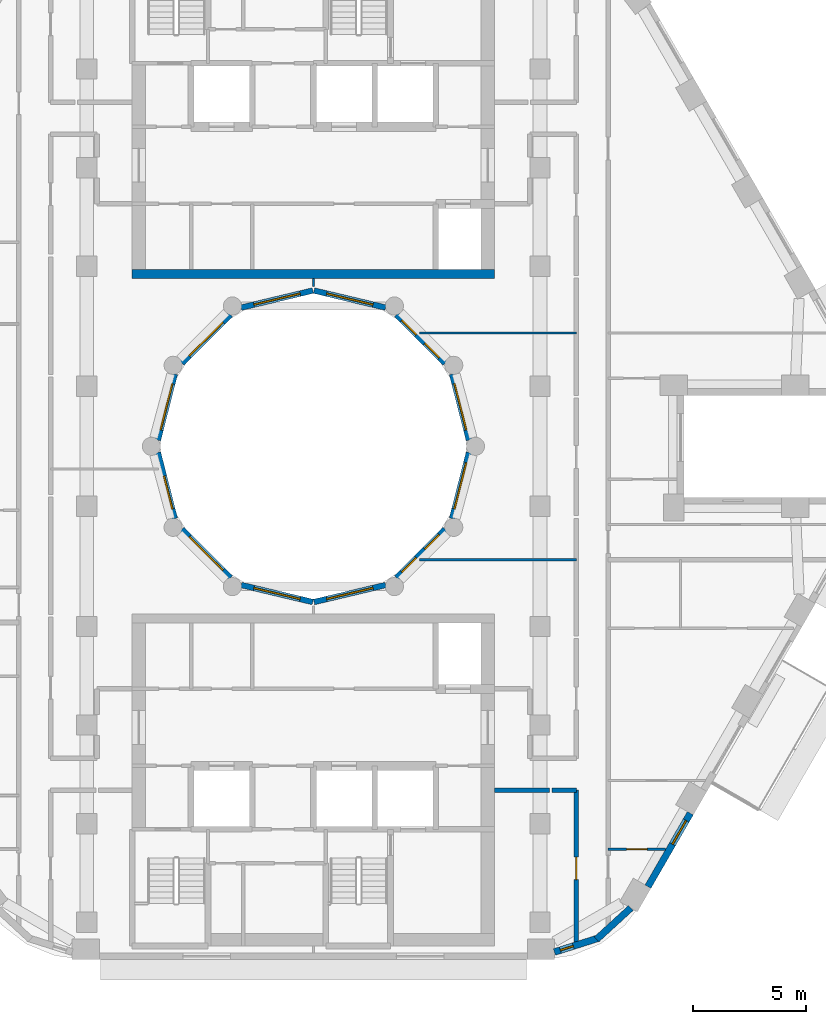
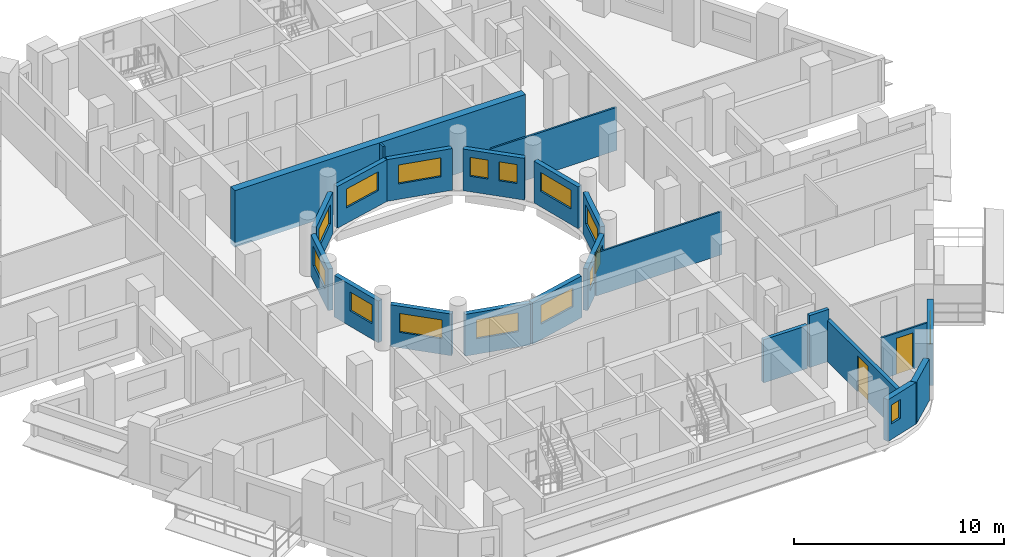
# One storey, part 5 of 15: 23 walls, 16 windows, 2 doors, 18 openings.
"""IFC4 building model written with IfcOpenShell, lengths in metres."""

from ifc_helpers import new_model, si_unit, direction, frame, frame_2d, origin, place, context, subcontext, project, spatial, rectangle, extrude, material, layer, layer_set, type_object, element, fill, save


model = new_model("IFC4")

# Units and contexts
model_context = context("Model", 3, precision=1e-05, world=origin(), true_north=direction((0.0, 1.0)))
body_context = subcontext(model_context, "Body", "Model", "MODEL_VIEW")
ifc_project = project(units=[si_unit("LENGTHUNIT", "METRE"), si_unit("AREAUNIT", "SQUARE_METRE"), si_unit("VOLUMEUNIT", "CUBIC_METRE"), si_unit("PLANEANGLEUNIT", "RADIAN"), si_unit("MASSUNIT", "GRAM", prefix="KILO")], contexts=[model_context])

# Site, building, storey
site_placement = place(None, origin())
site = spatial("IfcSite", under=ifc_project, at=site_placement, CompositionType="ELEMENT")
building_placement = place(site_placement, origin())
building = spatial("IfcBuilding", under=site, at=building_placement, Name="Nakaniwa Court", CompositionType="ELEMENT")
storey_placement = place(building_placement, frame((0.0, 0.0, 183.300048828125)))
storey = spatial("IfcBuildingStorey", under=building, at=storey_placement, Name="L47", CompositionType="ELEMENT", Elevation=183.300048828125)

# Wall, opening, door
ifc_material_1 = material(Name="Acoustic double stud partition")
ifc_layer_1 = layer(ifc_material_1, 0.199951171875)
ifc_layer_set_1 = layer_set([ifc_layer_1], Name="Acoustic double stud partition")
wall_type_1 = type_object("IfcWallType", Name="Acoustic double stud partition 200", PredefinedType="PARTITIONING", material=ifc_layer_set_1)
wall_1_placement = place(storey_placement, frame((91.60009765625, 57.92626953125, 0.0), z_axis=(0.0, 0.0, 1.0), x_axis=(0.0, 1.0, 0.0)))
wall_1 = element("IfcWall", 1, at=wall_1_placement, inside=storey, type_object=wall_type_1, Name="Partition PW-067", PredefinedType="PARTITIONING", context=body_context, shape_type="SweptSolid", body=[
    extrude(rectangle(XDim=6.898681640625, YDim=0.199951171875, at=frame_2d((3.44921875, 0.0))), origin(), (0.0, 0.0, 1.0), 2.405029296875),
])
opening_1_placement = place(wall_1_placement, frame((2.948974609375, 0.0, 0.0)))
opening_1 = element("IfcOpeningElement", 2, at=opening_1_placement, cuts=wall_1, Name="Opening D-02-01", PredefinedType="OPENING", context=body_context, shape_type="SweptSolid", body=[
    extrude(rectangle(XDim=1.0, YDim=2.10009765625, at=frame_2d((0.5, 1.050048828125))), frame((0.0, 0.10986328125, 0.0), z_axis=(0.0, -1.0, 0.0), x_axis=(1.0, 0.0, 0.0)), (0.0, 0.0, 1.0), 0.219970703125),
])
ifc_material_2 = material(Name="Solid core timber door set, black veneer", Category="wood")
door_type_1 = type_object("IfcDoorType", Name="Internal door 1000", OperationType="NOTDEFINED", PredefinedType="DOOR", material=ifc_material_2)
door_1_placement = place(opening_1_placement, origin())
door_1 = element("IfcDoor", 3, at=door_1_placement, inside=storey, type_object=door_type_1, Name="Door D-02-01 L47-023", OperationType="SINGLE_SWING_RIGHT", OverallHeight=2.10009765625, OverallWidth=1.0, PredefinedType="DOOR", context=body_context, shape_type="SweptSolid", body=[
    extrude(rectangle(XDim=1.0, YDim=2.10009765625, at=frame_2d((0.5, 1.050048828125))), frame((0.0, 0.02490234375, 0.0), z_axis=(0.0, -1.0, 0.0), x_axis=(1.0, 0.0, 0.0)), (0.0, 0.0, 1.0), 0.050048828125),
])
fill(opening_1, door_1)

# Walls
wall_2_placement = place(storey_placement, frame((88.0, 64.824951171875, 0.0), z_axis=(0.0, 0.0, 1.0), x_axis=(1.0, 0.0, 0.0)))
element("IfcWall", 4, at=wall_2_placement, inside=storey, type_object=wall_type_1, Name="Partition PW-076", PredefinedType="PARTITIONING", context=body_context, shape_type="SweptSolid", body=[
    extrude(rectangle(XDim=2.412841796875, YDim=0.199951171875, at=frame_2d((1.20654296875, 0.0))), origin(), (0.0, 0.0, 1.0), 2.5048828125),
])
wall_3_placement = place(storey_placement, frame((90.527099609375, 64.824951171875, 0.0), z_axis=(0.0, 0.0, 1.0), x_axis=(1.0, 0.0, 0.0)))
element("IfcWall", 5, at=wall_3_placement, inside=storey, type_object=wall_type_1, Name="Partition PW-077", PredefinedType="PARTITIONING", context=body_context, shape_type="SweptSolid", body=[
    extrude(rectangle(XDim=1.072998046875, YDim=0.199951171875, at=frame_2d((0.53662109375, 0.0))), origin(), (0.0, 0.0, 1.0), 3.02490234375),
])

# Wall, opening, window
ifc_material_3 = material(Name="Charcoal ceramic cladding")
ifc_layer_2 = layer(ifc_material_3, 0.02, Name="Ceramic cladding")
ifc_material_4 = material(Name="Ventilated air cavity")
ifc_layer_3 = layer(ifc_material_4, 0.04, ventilated=True, Name="Ventilated cavity")
ifc_material_5 = material(Name="Mineral wool insulation")
ifc_layer_4 = layer(ifc_material_5, 0.1, Name="Insulation")
ifc_material_6 = material(Name="Cement bonded sheathing board")
ifc_layer_5 = layer(ifc_material_6, 0.012, Name="Sheathing")
ifc_material_7 = material(Name="Cold-formed galvanised stud frame with mineral wool infill")
ifc_layer_6 = layer(ifc_material_7, 0.1, Name="Stud frame")
ifc_material_8 = material(Name="Fire-rated gypsum plasterboard lining")
ifc_layer_7 = layer(ifc_material_8, 0.028, Name="Lining")
ifc_layer_set_2 = layer_set([ifc_layer_2, ifc_layer_3, ifc_layer_4, ifc_layer_5, ifc_layer_6, ifc_layer_7], Name="Charcoal ceramic faced external wall system")
wall_type_2 = type_object("IfcWallType", Name="Black ceramic faced external wall 300", PredefinedType="SOLIDWALL", material=ifc_layer_set_2)
wall_4_placement = place(storey_placement, frame((90.6357421875, 57.684814453125, 0.0), z_axis=(0.0, 0.0, 1.0), x_axis=(0.95368324118, 0.300812691707, 0.0)))
wall_4 = element("IfcWall", 6, at=wall_4_placement, inside=storey, type_object=wall_type_2, Name="L47 external wall 27", PredefinedType="SOLIDWALL", context=body_context, shape_type="SweptSolid", body=[
    extrude(rectangle(XDim=2.053466796875, YDim=0.300048828125, at=frame_2d((1.02685546875, 0.0))), origin(), (0.0, 0.0, 1.0), 2.425048828125),
])
opening_2_placement = place(wall_4_placement, frame((0.271240234375, 0.0, 0.89990234375)))
opening_2 = element("IfcOpeningElement", 7, at=opening_2_placement, cuts=wall_4, Name="Opening W8.29", PredefinedType="OPENING", context=body_context, shape_type="SweptSolid", body=[
    extrude(rectangle(XDim=0.60009765625, YDim=1.10009765625, at=frame_2d((0.300048828125, 0.550048828125))), frame((0.0, 0.159912109375, 0.0), z_axis=(0.0, -1.0, 0.0), x_axis=(1.0, 0.0, 0.0)), (0.0, 0.0, 1.0), 0.320068359375),
])
ifc_material_9 = material(Name="Black anodised aluminium frame with dark low-E laminated double glazing", Category="aluminium")
window_type_1 = type_object("IfcWindowType", Name="Dark glass window 600x1100 sill 900", PartitioningType="SINGLE_PANEL", PredefinedType="WINDOW", material=ifc_material_9)
window_1_placement = place(opening_2_placement, origin())
window_1 = element("IfcWindow", 8, at=window_1_placement, inside=storey, type_object=window_type_1, Name="L47 habitable room window 27-0", OverallHeight=1.10009765625, OverallWidth=0.60009765625, PartitioningType="SINGLE_PANEL", PredefinedType="WINDOW", context=body_context, shape_type="SweptSolid", body=[
    extrude(rectangle(XDim=0.60009765625, YDim=1.10009765625, at=frame_2d((0.300048828125, 0.550048828125))), frame((0.0, 0.030029296875, 0.0), z_axis=(0.0, -1.0, 0.0), x_axis=(1.0, 0.0, 0.0)), (0.0, 0.0, 1.0), 0.06005859375),
])
fill(opening_2, window_1)

# Wall
wall_5_placement = place(storey_placement, frame((92.494140625, 58.243896484375, 0.0), z_axis=(0.0, 0.0, 1.0), x_axis=(0.73764876128, 0.675184645102, 0.0)))
element("IfcWall", 9, at=wall_5_placement, inside=storey, type_object=wall_type_2, Name="L47 external wall 28", PredefinedType="SOLIDWALL", context=body_context, shape_type="SweptSolid", body=[
    extrude(rectangle(XDim=2.048095703125, YDim=0.300048828125, at=frame_2d((1.02392578125, 0.0))), origin(), (0.0, 0.0, 1.0), 2.425048828125),
])

# Wall, opening, window
wall_6_placement = place(storey_placement, frame((94.760986328125, 60.566650390625, 0.0), z_axis=(0.0, 0.0, 1.0), x_axis=(0.499982088007, 0.866035745032, 0.0)))
wall_6 = element("IfcWall", 10, at=wall_6_placement, inside=storey, type_object=wall_type_2, Name="L47 external wall 29", PredefinedType="SOLIDWALL", context=body_context, shape_type="SweptSolid", body=[
    extrude(rectangle(XDim=3.744384765625, YDim=0.300048828125, at=frame_2d((1.8720703125, 0.0))), origin(), (0.0, 0.0, 1.0), 2.425048828125),
])
opening_3_placement = place(wall_6_placement, frame((2.168701171875, 0.0, 0.89990234375)))
opening_3 = element("IfcOpeningElement", 11, at=opening_3_placement, cuts=wall_6, Name="Opening W6.30", PredefinedType="OPENING", context=body_context, shape_type="SweptSolid", body=[
    extrude(rectangle(XDim=1.199951171875, YDim=1.10009765625, at=frame_2d((0.60009765625, 0.550048828125))), frame((0.0, 0.159912109375, 0.0), z_axis=(0.0, -1.0, 0.0), x_axis=(1.0, 0.0, 0.0)), (0.0, 0.0, 1.0), 0.320068359375),
])
window_type_2 = type_object("IfcWindowType", Name="Dark glass window 1200x1100 sill 900", PartitioningType="SINGLE_PANEL", PredefinedType="WINDOW", material=ifc_material_9)
window_2_placement = place(opening_3_placement, origin())
window_2 = element("IfcWindow", 12, at=window_2_placement, inside=storey, type_object=window_type_2, Name="L47 habitable room window 29-1", OverallHeight=1.10009765625, OverallWidth=1.199951171875, PartitioningType="SINGLE_PANEL", PredefinedType="WINDOW", context=body_context, shape_type="SweptSolid", body=[
    extrude(rectangle(XDim=1.199951171875, YDim=1.10009765625, at=frame_2d((0.60009765625, 0.550048828125))), frame((0.0, 0.030029296875, 0.0), z_axis=(0.0, -1.0, 0.0), x_axis=(1.0, 0.0, 0.0)), (0.0, 0.0, 1.0), 0.06005859375),
])
fill(opening_3, window_2)

ifc_layer_8 = layer(ifc_material_3, 0.02, Name="Ceramic cladding")
ifc_layer_9 = layer(ifc_material_4, 0.04, ventilated=True, Name="Ventilated cavity")
ifc_layer_10 = layer(ifc_material_5, 0.075, Name="Insulation")
ifc_layer_11 = layer(ifc_material_6, 0.012, Name="Sheathing")
ifc_layer_12 = layer(ifc_material_7, 0.075, Name="Stud frame")
ifc_layer_13 = layer(ifc_material_8, 0.028, Name="Lining")
ifc_layer_set_3 = layer_set([ifc_layer_8, ifc_layer_9, ifc_layer_10, ifc_layer_11, ifc_layer_12, ifc_layer_13], Name="Charcoal ceramic faced external wall system")
wall_type_3 = type_object("IfcWallType", Name="Charcoal ceramic faced well wall 250", PredefinedType="SOLIDWALL", material=ifc_layer_set_3)
wall_7_placement = place(storey_placement, frame((86.8603515625, 79.72998046875, 0.0), z_axis=(0.0, 0.0, 1.0), x_axis=(-0.247055971283, -0.969001211069, 0.0)))
wall_7 = element("IfcWall", 13, at=wall_7_placement, inside=storey, type_object=wall_type_3, Name="L47 external wall 36", PredefinedType="SOLIDWALL", context=body_context, shape_type="SweptSolid", body=[
    extrude(rectangle(XDim=3.010009765625, YDim=0.25, at=frame_2d((1.5048828125, 0.0))), origin(), (0.0, 0.0, 1.0), 2.425048828125),
])
opening_4_placement = place(wall_7_placement, frame((0.46875, 0.0, 0.89990234375)))
opening_4 = element("IfcOpeningElement", 14, at=opening_4_placement, cuts=wall_7, Name="Opening W7.36", PredefinedType="OPENING", context=body_context, shape_type="SweptSolid", body=[
    extrude(rectangle(XDim=2.10009765625, YDim=1.10009765625, at=frame_2d((1.050048828125, 0.550048828125))), frame((0.0, 0.135009765625, 0.0), z_axis=(0.0, -1.0, 0.0), x_axis=(1.0, 0.0, 0.0)), (0.0, 0.0, 1.0), 0.27001953125),
])
window_type_3 = type_object("IfcWindowType", Name="Dark glass window 2100x1100 sill 900", PartitioningType="SINGLE_PANEL", PredefinedType="WINDOW", material=ifc_material_9)
window_3_placement = place(opening_4_placement, origin())
window_3 = element("IfcWindow", 15, at=window_3_placement, inside=storey, type_object=window_type_3, Name="L47 habitable room window 36-0", OverallHeight=1.10009765625, OverallWidth=2.10009765625, PartitioningType="SINGLE_PANEL", PredefinedType="WINDOW", context=body_context, shape_type="SweptSolid", body=[
    extrude(rectangle(XDim=2.10009765625, YDim=1.10009765625, at=frame_2d((1.050048828125, 0.550048828125))), frame((0.0, 0.030029296875, 0.0), z_axis=(0.0, -1.0, 0.0), x_axis=(1.0, 0.0, 0.0)), (0.0, 0.0, 1.0), 0.06005859375),
])
fill(opening_4, window_3)

# Wall, openings, windows
wall_8_placement = place(storey_placement, frame((85.8056640625, 76.339111328125, 0.0), z_axis=(0.0, 0.0, 1.0), x_axis=(-0.707106781187, -0.707106781187, 0.0)))
wall_8 = element("IfcWall", 16, at=wall_8_placement, inside=storey, type_object=wall_type_3, Name="L47 external wall 37", PredefinedType="SOLIDWALL", context=body_context, shape_type="SweptSolid", body=[
    extrude(rectangle(XDim=3.033203125, YDim=0.25, at=frame_2d((1.5166015625, 0.0))), origin(), (0.0, 0.0, 1.0), 2.425048828125),
])
opening_5_placement = place(wall_8_placement, frame((0.353271484375, 0.0, 0.89990234375)))
opening_5 = element("IfcOpeningElement", 17, at=opening_5_placement, cuts=wall_8, Name="Opening W9.37", PredefinedType="OPENING", context=body_context, shape_type="SweptSolid", body=[
    extrude(rectangle(XDim=0.89990234375, YDim=1.10009765625, at=frame_2d((0.449951171875, 0.550048828125))), frame((0.0, 0.135009765625, 0.0), z_axis=(0.0, -1.0, 0.0), x_axis=(1.0, 0.0, 0.0)), (0.0, 0.0, 1.0), 0.27001953125),
])
opening_6_placement = place(wall_8_placement, frame((1.787841796875, 0.0, 0.89990234375)))
opening_6 = element("IfcOpeningElement", 18, at=opening_6_placement, cuts=wall_8, Name="Opening W9.38", PredefinedType="OPENING", context=body_context, shape_type="SweptSolid", body=[
    extrude(rectangle(XDim=0.89990234375, YDim=1.10009765625, at=frame_2d((0.449951171875, 0.550048828125))), frame((0.0, 0.135009765625, 0.0), z_axis=(0.0, -1.0, 0.0), x_axis=(1.0, 0.0, 0.0)), (0.0, 0.0, 1.0), 0.27001953125),
])
window_type_4 = type_object("IfcWindowType", Name="Dark glass window 900x1100 sill 900", PartitioningType="SINGLE_PANEL", PredefinedType="WINDOW", material=ifc_material_9)
window_4_placement = place(opening_5_placement, origin())
window_4 = element("IfcWindow", 19, at=window_4_placement, inside=storey, type_object=window_type_4, Name="L47 habitable room window 37-0", OverallHeight=1.10009765625, OverallWidth=0.89990234375, PartitioningType="SINGLE_PANEL", PredefinedType="WINDOW", context=body_context, shape_type="SweptSolid", body=[
    extrude(rectangle(XDim=0.89990234375, YDim=1.10009765625, at=frame_2d((0.449951171875, 0.550048828125))), frame((0.0, 0.030029296875, 0.0), z_axis=(0.0, -1.0, 0.0), x_axis=(1.0, 0.0, 0.0)), (0.0, 0.0, 1.0), 0.06005859375),
])
fill(opening_5, window_4)
window_5_placement = place(opening_6_placement, origin())
window_5 = element("IfcWindow", 20, at=window_5_placement, inside=storey, type_object=window_type_4, Name="L47 habitable room window 37-1", OverallHeight=1.10009765625, OverallWidth=0.89990234375, PartitioningType="SINGLE_PANEL", PredefinedType="WINDOW", context=body_context, shape_type="SweptSolid", body=[
    extrude(rectangle(XDim=0.89990234375, YDim=1.10009765625, at=frame_2d((0.449951171875, 0.550048828125))), frame((0.0, 0.030029296875, 0.0), z_axis=(0.0, -1.0, 0.0), x_axis=(1.0, 0.0, 0.0)), (0.0, 0.0, 1.0), 0.06005859375),
])
fill(opening_6, window_5)

# Wall, opening, window
wall_9_placement = place(storey_placement, frame((83.186279296875, 73.880615234375, 0.0), z_axis=(0.0, 0.0, 1.0), x_axis=(-0.972773113459, -0.231759508395, 0.0)))
wall_9 = element("IfcWall", 21, at=wall_9_placement, inside=storey, type_object=wall_type_3, Name="L47 external wall 38", PredefinedType="SOLIDWALL", context=body_context, shape_type="SweptSolid", body=[
    extrude(rectangle(XDim=3.24560546875, YDim=0.25, at=frame_2d((1.622802734375, 0.0))), origin(), (0.0, 0.0, 1.0), 2.425048828125),
])
opening_7_placement = place(wall_9_placement, frame((0.57275390625, 0.0, 0.89990234375)))
opening_7 = element("IfcOpeningElement", 22, at=opening_7_placement, cuts=wall_9, Name="Opening W7.39", PredefinedType="OPENING", context=body_context, shape_type="SweptSolid", body=[
    extrude(rectangle(XDim=2.10009765625, YDim=1.10009765625, at=frame_2d((1.050048828125, 0.550048828125))), frame((0.0, 0.135009765625, 0.0), z_axis=(0.0, -1.0, 0.0), x_axis=(1.0, 0.0, 0.0)), (0.0, 0.0, 1.0), 0.27001953125),
])
window_6_placement = place(opening_7_placement, origin())
window_6 = element("IfcWindow", 23, at=window_6_placement, inside=storey, type_object=window_type_3, Name="L47 habitable room window 38-0", OverallHeight=1.10009765625, OverallWidth=2.10009765625, PartitioningType="SINGLE_PANEL", PredefinedType="WINDOW", context=body_context, shape_type="SweptSolid", body=[
    extrude(rectangle(XDim=2.10009765625, YDim=1.10009765625, at=frame_2d((1.050048828125, 0.550048828125))), frame((0.0, 0.030029296875, 0.0), z_axis=(0.0, -1.0, 0.0), x_axis=(1.0, 0.0, 0.0)), (0.0, 0.0, 1.0), 0.06005859375),
])
fill(opening_7, window_6)

wall_10_placement = place(storey_placement, frame((79.970947265625, 73.12841796875, 0.0), z_axis=(0.0, 0.0, 1.0), x_axis=(-0.972773113459, 0.231759508395, 0.0)))
wall_10 = element("IfcWall", 24, at=wall_10_placement, inside=storey, type_object=wall_type_3, Name="L47 external wall 39", PredefinedType="SOLIDWALL", context=body_context, shape_type="SweptSolid", body=[
    extrude(rectangle(XDim=3.24560546875, YDim=0.25, at=frame_2d((1.622802734375, 0.0))), origin(), (0.0, 0.0, 1.0), 2.425048828125),
])
opening_8_placement = place(wall_10_placement, frame((0.57275390625, 0.0, 0.89990234375)))
opening_8 = element("IfcOpeningElement", 25, at=opening_8_placement, cuts=wall_10, Name="Opening W7.40", PredefinedType="OPENING", context=body_context, shape_type="SweptSolid", body=[
    extrude(rectangle(XDim=2.10009765625, YDim=1.10009765625, at=frame_2d((1.050048828125, 0.550048828125))), frame((0.0, 0.135009765625, 0.0), z_axis=(0.0, -1.0, 0.0), x_axis=(1.0, 0.0, 0.0)), (0.0, 0.0, 1.0), 0.27001953125),
])
window_7_placement = place(opening_8_placement, origin())
window_7 = element("IfcWindow", 26, at=window_7_placement, inside=storey, type_object=window_type_3, Name="L47 habitable room window 39-0", OverallHeight=1.10009765625, OverallWidth=2.10009765625, PartitioningType="SINGLE_PANEL", PredefinedType="WINDOW", context=body_context, shape_type="SweptSolid", body=[
    extrude(rectangle(XDim=2.10009765625, YDim=1.10009765625, at=frame_2d((1.050048828125, 0.550048828125))), frame((0.0, 0.030029296875, 0.0), z_axis=(0.0, -1.0, 0.0), x_axis=(1.0, 0.0, 0.0)), (0.0, 0.0, 1.0), 0.06005859375),
])
fill(opening_8, window_7)

wall_11_placement = place(storey_placement, frame((76.339111328125, 74.1943359375, 0.0), z_axis=(0.0, 0.0, 1.0), x_axis=(-0.707106781187, 0.707106781187, 0.0)))
wall_11 = element("IfcWall", 27, at=wall_11_placement, inside=storey, type_object=wall_type_3, Name="L47 external wall 40", PredefinedType="SOLIDWALL", context=body_context, shape_type="SweptSolid", body=[
    extrude(rectangle(XDim=3.033203125, YDim=0.25, at=frame_2d((1.5166015625, 0.0))), origin(), (0.0, 0.0, 1.0), 2.425048828125),
])
opening_9_placement = place(wall_11_placement, frame((0.466552734375, 0.0, 0.89990234375)))
opening_9 = element("IfcOpeningElement", 28, at=opening_9_placement, cuts=wall_11, Name="Opening W7.41", PredefinedType="OPENING", context=body_context, shape_type="SweptSolid", body=[
    extrude(rectangle(XDim=2.10009765625, YDim=1.10009765625, at=frame_2d((1.050048828125, 0.550048828125))), frame((0.0, 0.135009765625, 0.0), z_axis=(0.0, -1.0, 0.0), x_axis=(1.0, 0.0, 0.0)), (0.0, 0.0, 1.0), 0.27001953125),
])
window_8_placement = place(opening_9_placement, origin())
window_8 = element("IfcWindow", 29, at=window_8_placement, inside=storey, type_object=window_type_3, Name="L47 habitable room window 40-0", OverallHeight=1.10009765625, OverallWidth=2.10009765625, PartitioningType="SINGLE_PANEL", PredefinedType="WINDOW", context=body_context, shape_type="SweptSolid", body=[
    extrude(rectangle(XDim=2.10009765625, YDim=1.10009765625, at=frame_2d((1.050048828125, 0.550048828125))), frame((0.0, 0.030029296875, 0.0), z_axis=(0.0, -1.0, 0.0), x_axis=(1.0, 0.0, 0.0)), (0.0, 0.0, 1.0), 0.06005859375),
])
fill(opening_9, window_8)

wall_12_placement = place(storey_placement, frame((73.88330078125, 76.813232421875, 0.0), z_axis=(0.0, 0.0, 1.0), x_axis=(-0.247055971283, 0.969001211069, 0.0)))
wall_12 = element("IfcWall", 30, at=wall_12_placement, inside=storey, type_object=wall_type_3, Name="L47 external wall 41", PredefinedType="SOLIDWALL", context=body_context, shape_type="SweptSolid", body=[
    extrude(rectangle(XDim=3.010009765625, YDim=0.25, at=frame_2d((1.5048828125, 0.0))), origin(), (0.0, 0.0, 1.0), 2.425048828125),
])
opening_10_placement = place(wall_12_placement, frame((0.4326171875, 0.0, 0.89990234375)))
opening_10 = element("IfcOpeningElement", 31, at=opening_10_placement, cuts=wall_12, Name="Opening W5.42", PredefinedType="OPENING", context=body_context, shape_type="SweptSolid", body=[
    extrude(rectangle(XDim=1.5, YDim=1.10009765625, at=frame_2d((0.75, 0.550048828125))), frame((0.0, 0.135009765625, 0.0), z_axis=(0.0, -1.0, 0.0), x_axis=(1.0, 0.0, 0.0)), (0.0, 0.0, 1.0), 0.27001953125),
])
window_type_5 = type_object("IfcWindowType", Name="Dark glass window 1500x1100 sill 900", PartitioningType="SINGLE_PANEL", PredefinedType="WINDOW", material=ifc_material_9)
window_9_placement = place(opening_10_placement, origin())
window_9 = element("IfcWindow", 32, at=window_9_placement, inside=storey, type_object=window_type_5, Name="L47 habitable room window 41-0", OverallHeight=1.10009765625, OverallWidth=1.5, PartitioningType="SINGLE_PANEL", PredefinedType="WINDOW", context=body_context, shape_type="SweptSolid", body=[
    extrude(rectangle(XDim=1.5, YDim=1.10009765625, at=frame_2d((0.75, 0.550048828125))), frame((0.0, 0.030029296875, 0.0), z_axis=(0.0, -1.0, 0.0), x_axis=(1.0, 0.0, 0.0)), (0.0, 0.0, 1.0), 0.06005859375),
])
fill(opening_10, window_9)

wall_13_placement = place(storey_placement, frame((73.1396484375, 80.27001953125, 0.0), z_axis=(0.0, 0.0, 1.0), x_axis=(0.247055971283, 0.969001211069, 0.0)))
wall_13 = element("IfcWall", 33, at=wall_13_placement, inside=storey, type_object=wall_type_3, Name="L47 external wall 42", PredefinedType="SOLIDWALL", context=body_context, shape_type="SweptSolid", body=[
    extrude(rectangle(XDim=3.010009765625, YDim=0.25, at=frame_2d((1.5048828125, 0.0))), origin(), (0.0, 0.0, 1.0), 2.425048828125),
])
opening_11_placement = place(wall_13_placement, frame((0.46875, 0.0, 0.89990234375)))
opening_11 = element("IfcOpeningElement", 34, at=opening_11_placement, cuts=wall_13, Name="Opening W7.43", PredefinedType="OPENING", context=body_context, shape_type="SweptSolid", body=[
    extrude(rectangle(XDim=2.10009765625, YDim=1.10009765625, at=frame_2d((1.050048828125, 0.550048828125))), frame((0.0, 0.135009765625, 0.0), z_axis=(0.0, -1.0, 0.0), x_axis=(1.0, 0.0, 0.0)), (0.0, 0.0, 1.0), 0.27001953125),
])
window_10_placement = place(opening_11_placement, origin())
window_10 = element("IfcWindow", 35, at=window_10_placement, inside=storey, type_object=window_type_3, Name="L47 habitable room window 42-0", OverallHeight=1.10009765625, OverallWidth=2.10009765625, PartitioningType="SINGLE_PANEL", PredefinedType="WINDOW", context=body_context, shape_type="SweptSolid", body=[
    extrude(rectangle(XDim=2.10009765625, YDim=1.10009765625, at=frame_2d((1.050048828125, 0.550048828125))), frame((0.0, 0.030029296875, 0.0), z_axis=(0.0, -1.0, 0.0), x_axis=(1.0, 0.0, 0.0)), (0.0, 0.0, 1.0), 0.06005859375),
])
fill(opening_11, window_10)

wall_14_placement = place(storey_placement, frame((74.1943359375, 83.660888671875, 0.0), z_axis=(0.0, 0.0, 1.0), x_axis=(0.707106781187, 0.707106781187, 0.0)))
wall_14 = element("IfcWall", 36, at=wall_14_placement, inside=storey, type_object=wall_type_3, Name="L47 external wall 43", PredefinedType="SOLIDWALL", context=body_context, shape_type="SweptSolid", body=[
    extrude(rectangle(XDim=3.033203125, YDim=0.25, at=frame_2d((1.5166015625, 0.0))), origin(), (0.0, 0.0, 1.0), 2.425048828125),
])
opening_12_placement = place(wall_14_placement, frame((0.466552734375, 0.0, 0.89990234375)))
opening_12 = element("IfcOpeningElement", 37, at=opening_12_placement, cuts=wall_14, Name="Opening W7.44", PredefinedType="OPENING", context=body_context, shape_type="SweptSolid", body=[
    extrude(rectangle(XDim=2.10009765625, YDim=1.10009765625, at=frame_2d((1.050048828125, 0.550048828125))), frame((0.0, 0.135009765625, 0.0), z_axis=(0.0, -1.0, 0.0), x_axis=(1.0, 0.0, 0.0)), (0.0, 0.0, 1.0), 0.27001953125),
])
window_11_placement = place(opening_12_placement, origin())
window_11 = element("IfcWindow", 38, at=window_11_placement, inside=storey, type_object=window_type_3, Name="L47 habitable room window 43-0", OverallHeight=1.10009765625, OverallWidth=2.10009765625, PartitioningType="SINGLE_PANEL", PredefinedType="WINDOW", context=body_context, shape_type="SweptSolid", body=[
    extrude(rectangle(XDim=2.10009765625, YDim=1.10009765625, at=frame_2d((1.050048828125, 0.550048828125))), frame((0.0, 0.030029296875, 0.0), z_axis=(0.0, -1.0, 0.0), x_axis=(1.0, 0.0, 0.0)), (0.0, 0.0, 1.0), 0.06005859375),
])
fill(opening_12, window_11)

wall_15_placement = place(storey_placement, frame((76.813720703125, 86.119384765625, 0.0), z_axis=(0.0, 0.0, 1.0), x_axis=(0.972773113459, 0.231759508395, 0.0)))
wall_15 = element("IfcWall", 39, at=wall_15_placement, inside=storey, type_object=wall_type_3, Name="L47 external wall 44", PredefinedType="SOLIDWALL", context=body_context, shape_type="SweptSolid", body=[
    extrude(rectangle(XDim=3.24560546875, YDim=0.25, at=frame_2d((1.622802734375, 0.0))), origin(), (0.0, 0.0, 1.0), 2.425048828125),
])
opening_13_placement = place(wall_15_placement, frame((0.57275390625, 0.0, 0.89990234375)))
opening_13 = element("IfcOpeningElement", 40, at=opening_13_placement, cuts=wall_15, Name="Opening W7.45", PredefinedType="OPENING", context=body_context, shape_type="SweptSolid", body=[
    extrude(rectangle(XDim=2.10009765625, YDim=1.10009765625, at=frame_2d((1.050048828125, 0.550048828125))), frame((0.0, 0.135009765625, 0.0), z_axis=(0.0, -1.0, 0.0), x_axis=(1.0, 0.0, 0.0)), (0.0, 0.0, 1.0), 0.27001953125),
])
window_12_placement = place(opening_13_placement, origin())
window_12 = element("IfcWindow", 41, at=window_12_placement, inside=storey, type_object=window_type_3, Name="L47 habitable room window 44-0", OverallHeight=1.10009765625, OverallWidth=2.10009765625, PartitioningType="SINGLE_PANEL", PredefinedType="WINDOW", context=body_context, shape_type="SweptSolid", body=[
    extrude(rectangle(XDim=2.10009765625, YDim=1.10009765625, at=frame_2d((1.050048828125, 0.550048828125))), frame((0.0, 0.030029296875, 0.0), z_axis=(0.0, -1.0, 0.0), x_axis=(1.0, 0.0, 0.0)), (0.0, 0.0, 1.0), 0.06005859375),
])
fill(opening_13, window_12)

wall_16_placement = place(storey_placement, frame((80.029052734375, 86.87158203125, 0.0), z_axis=(0.0, 0.0, 1.0), x_axis=(0.972773113459, -0.231759508395, 0.0)))
wall_16 = element("IfcWall", 42, at=wall_16_placement, inside=storey, type_object=wall_type_3, Name="L47 external wall 45", PredefinedType="SOLIDWALL", context=body_context, shape_type="SweptSolid", body=[
    extrude(rectangle(XDim=3.24560546875, YDim=0.25, at=frame_2d((1.622802734375, 0.0))), origin(), (0.0, 0.0, 1.0), 2.425048828125),
])
opening_14_placement = place(wall_16_placement, frame((0.57275390625, 0.0, 0.89990234375)))
opening_14 = element("IfcOpeningElement", 43, at=opening_14_placement, cuts=wall_16, Name="Opening W7.46", PredefinedType="OPENING", context=body_context, shape_type="SweptSolid", body=[
    extrude(rectangle(XDim=2.10009765625, YDim=1.10009765625, at=frame_2d((1.050048828125, 0.550048828125))), frame((0.0, 0.135009765625, 0.0), z_axis=(0.0, -1.0, 0.0), x_axis=(1.0, 0.0, 0.0)), (0.0, 0.0, 1.0), 0.27001953125),
])
window_13_placement = place(opening_14_placement, origin())
window_13 = element("IfcWindow", 44, at=window_13_placement, inside=storey, type_object=window_type_3, Name="L47 habitable room window 45-0", OverallHeight=1.10009765625, OverallWidth=2.10009765625, PartitioningType="SINGLE_PANEL", PredefinedType="WINDOW", context=body_context, shape_type="SweptSolid", body=[
    extrude(rectangle(XDim=2.10009765625, YDim=1.10009765625, at=frame_2d((1.050048828125, 0.550048828125))), frame((0.0, 0.030029296875, 0.0), z_axis=(0.0, -1.0, 0.0), x_axis=(1.0, 0.0, 0.0)), (0.0, 0.0, 1.0), 0.06005859375),
])
fill(opening_14, window_13)

# Wall, openings, windows
wall_17_placement = place(storey_placement, frame((83.660888671875, 85.8056640625, 0.0), z_axis=(0.0, 0.0, 1.0), x_axis=(0.707106781187, -0.707106781187, 0.0)))
wall_17 = element("IfcWall", 45, at=wall_17_placement, inside=storey, type_object=wall_type_3, Name="L47 external wall 46", PredefinedType="SOLIDWALL", context=body_context, shape_type="SweptSolid", body=[
    extrude(rectangle(XDim=3.033203125, YDim=0.25, at=frame_2d((1.5166015625, 0.0))), origin(), (0.0, 0.0, 1.0), 2.425048828125),
])
opening_15_placement = place(wall_17_placement, frame((0.34521484375, 0.0, 0.89990234375)))
opening_15 = element("IfcOpeningElement", 46, at=opening_15_placement, cuts=wall_17, Name="Opening W9.47", PredefinedType="OPENING", context=body_context, shape_type="SweptSolid", body=[
    extrude(rectangle(XDim=0.89990234375, YDim=1.10009765625, at=frame_2d((0.449951171875, 0.550048828125))), frame((0.0, 0.135009765625, 0.0), z_axis=(0.0, -1.0, 0.0), x_axis=(1.0, 0.0, 0.0)), (0.0, 0.0, 1.0), 0.27001953125),
])
opening_16_placement = place(wall_17_placement, frame((1.780029296875, 0.0, 0.89990234375)))
opening_16 = element("IfcOpeningElement", 47, at=opening_16_placement, cuts=wall_17, Name="Opening W9.48", PredefinedType="OPENING", context=body_context, shape_type="SweptSolid", body=[
    extrude(rectangle(XDim=0.89990234375, YDim=1.10009765625, at=frame_2d((0.449951171875, 0.550048828125))), frame((0.0, 0.135009765625, 0.0), z_axis=(0.0, -1.0, 0.0), x_axis=(1.0, 0.0, 0.0)), (0.0, 0.0, 1.0), 0.27001953125),
])
window_14_placement = place(opening_15_placement, origin())
window_14 = element("IfcWindow", 48, at=window_14_placement, inside=storey, type_object=window_type_4, Name="L47 habitable room window 46-0", OverallHeight=1.10009765625, OverallWidth=0.89990234375, PartitioningType="SINGLE_PANEL", PredefinedType="WINDOW", context=body_context, shape_type="SweptSolid", body=[
    extrude(rectangle(XDim=0.89990234375, YDim=1.10009765625, at=frame_2d((0.449951171875, 0.550048828125))), frame((0.0, 0.030029296875, 0.0), z_axis=(0.0, -1.0, 0.0), x_axis=(1.0, 0.0, 0.0)), (0.0, 0.0, 1.0), 0.06005859375),
])
fill(opening_15, window_14)
window_15_placement = place(opening_16_placement, origin())
window_15 = element("IfcWindow", 49, at=window_15_placement, inside=storey, type_object=window_type_4, Name="L47 habitable room window 46-1", OverallHeight=1.10009765625, OverallWidth=0.89990234375, PartitioningType="SINGLE_PANEL", PredefinedType="WINDOW", context=body_context, shape_type="SweptSolid", body=[
    extrude(rectangle(XDim=0.89990234375, YDim=1.10009765625, at=frame_2d((0.449951171875, 0.550048828125))), frame((0.0, 0.030029296875, 0.0), z_axis=(0.0, -1.0, 0.0), x_axis=(1.0, 0.0, 0.0)), (0.0, 0.0, 1.0), 0.06005859375),
])
fill(opening_16, window_15)

# Wall, opening, window
wall_18_placement = place(storey_placement, frame((86.11669921875, 83.186767578125, 0.0), z_axis=(0.0, 0.0, 1.0), x_axis=(0.247055971283, -0.969001211069, 0.0)))
wall_18 = element("IfcWall", 50, at=wall_18_placement, inside=storey, type_object=wall_type_3, Name="L47 external wall 47", PredefinedType="SOLIDWALL", context=body_context, shape_type="SweptSolid", body=[
    extrude(rectangle(XDim=3.010009765625, YDim=0.25, at=frame_2d((1.5048828125, 0.0))), origin(), (0.0, 0.0, 1.0), 2.425048828125),
])
opening_17_placement = place(wall_18_placement, frame((0.441162109375, 0.0, 0.89990234375)))
opening_17 = element("IfcOpeningElement", 51, at=opening_17_placement, cuts=wall_18, Name="Opening W7.49", PredefinedType="OPENING", context=body_context, shape_type="SweptSolid", body=[
    extrude(rectangle(XDim=2.10009765625, YDim=1.10009765625, at=frame_2d((1.050048828125, 0.550048828125))), frame((0.0, 0.135009765625, 0.0), z_axis=(0.0, -1.0, 0.0), x_axis=(1.0, 0.0, 0.0)), (0.0, 0.0, 1.0), 0.27001953125),
])
window_16_placement = place(opening_17_placement, origin())
window_16 = element("IfcWindow", 52, at=window_16_placement, inside=storey, type_object=window_type_3, Name="L47 habitable room window 47-0", OverallHeight=1.10009765625, OverallWidth=2.10009765625, PartitioningType="SINGLE_PANEL", PredefinedType="WINDOW", context=body_context, shape_type="SweptSolid", body=[
    extrude(rectangle(XDim=2.10009765625, YDim=1.10009765625, at=frame_2d((1.050048828125, 0.550048828125))), frame((0.0, 0.030029296875, 0.0), z_axis=(0.0, -1.0, 0.0), x_axis=(1.0, 0.0, 0.0)), (0.0, 0.0, 1.0), 0.06005859375),
])
fill(opening_17, window_16)

# Walls
ifc_material_10 = material(Name="Concrete C80/100", Category="concrete")
ifc_layer_14 = layer(ifc_material_10, 0.39990234375)
ifc_layer_set_4 = layer_set([ifc_layer_14], Name="Concrete C80/100")
wall_type_4 = type_object("IfcWallType", Name="Concrete core well wall 400 C80", PredefinedType="SHEAR", material=ifc_layer_set_4)
wall_19_placement = place(storey_placement, frame((72.00390625, 87.60009765625, -0.275146484375), z_axis=(0.0, 0.0, 1.0), x_axis=(1.0, 0.0, 0.0)))
element("IfcWall", 53, at=wall_19_placement, inside=storey, type_object=wall_type_4, Name="Core wall SW-132", PredefinedType="SHEAR", context=body_context, shape_type="SweptSolid", body=[
    extrude(rectangle(XDim=15.9921875, YDim=0.39990234375, at=frame_2d((7.99609375, 0.0))), origin(), (0.0, 0.0, 1.0), 3.300048828125),
])
ifc_material_11 = material(Name="Single stud plasterboard partition")
ifc_layer_15 = layer(ifc_material_11, 0.10009765625)
ifc_layer_set_5 = layer_set([ifc_layer_15], Name="Single stud plasterboard partition")
wall_type_5 = type_object("IfcWallType", Name="Single stud plasterboard partition 100", PredefinedType="PARTITIONING", material=ifc_layer_set_5)
wall_20_placement = place(storey_placement, frame((80.0, 87.048095703125, 0.0), z_axis=(0.0, 0.0, 1.0), x_axis=(0.0, 1.0, 0.0)))
element("IfcWall", 54, at=wall_20_placement, inside=storey, type_object=wall_type_5, Name="Partition PW-109", PredefinedType="PARTITIONING", context=body_context, shape_type="SweptSolid", body=[
    extrude(rectangle(XDim=0.351806640625, YDim=0.10009765625, at=frame_2d((0.17578125, 0.0))), origin(), (0.0, 0.0, 1.0), 3.02490234375),
])

# Wall, opening, door
wall_21_placement = place(storey_placement, frame((93.0009765625, 62.22509765625, 0.0), z_axis=(0.0, 0.0, 1.0), x_axis=(1.0, 0.0, 0.0)))
wall_21 = element("IfcWall", 55, at=wall_21_placement, inside=storey, type_object=wall_type_5, Name="Partition PW-112", PredefinedType="PARTITIONING", context=body_context, shape_type="SweptSolid", body=[
    extrude(rectangle(XDim=2.544189453125, YDim=0.10009765625, at=frame_2d((1.27197265625, 0.0))), origin(), (0.0, 0.0, 1.0), 2.405029296875),
])
opening_18_placement = place(wall_21_placement, frame((0.822021484375, 0.0, 0.0)))
opening_18 = element("IfcOpeningElement", 56, at=opening_18_placement, cuts=wall_21, Name="Opening D-33-01", PredefinedType="OPENING", context=body_context, shape_type="SweptSolid", body=[
    extrude(rectangle(XDim=0.89990234375, YDim=2.10009765625, at=frame_2d((0.449951171875, 1.050048828125))), frame((0.0, 0.06005859375, 0.0), z_axis=(0.0, -1.0, 0.0), x_axis=(1.0, 0.0, 0.0)), (0.0, 0.0, 1.0), 0.1201171875),
])
door_type_2 = type_object("IfcDoorType", Name="Internal door 900", OperationType="NOTDEFINED", PredefinedType="DOOR", material=ifc_material_2)
door_2_placement = place(opening_18_placement, origin())
door_2 = element("IfcDoor", 57, at=door_2_placement, inside=storey, type_object=door_type_2, Name="Door D-33-01 L47-025", OperationType="SINGLE_SWING_RIGHT", OverallHeight=2.10009765625, OverallWidth=0.89990234375, PredefinedType="DOOR", context=body_context, shape_type="SweptSolid", body=[
    extrude(rectangle(XDim=0.89990234375, YDim=2.10009765625, at=frame_2d((0.449951171875, 1.050048828125))), frame((0.0, 0.02490234375, 0.0), z_axis=(0.0, -1.0, 0.0), x_axis=(1.0, 0.0, 0.0)), (0.0, 0.0, 1.0), 0.050048828125),
])
fill(opening_18, door_2)

# Walls
for number, where, z_axis, x_axis, name in (
    (58, (84.67333984375, 75.0, 0.0), (0.0, 0.0, 1.0), (1.0, 0.0, 0.0), "Partition PW-117"),
    (59, (84.67333984375, 85.0, 0.0), (0.0, 0.0, 1.0), (1.0, 0.0, 0.0), "Partition PW-118"),
):
    element("IfcWall", number, at=place(storey_placement, frame(where, z_axis=z_axis, x_axis=x_axis)), inside=storey, type_object=wall_type_5, Name=name, PredefinedType="PARTITIONING", context=body_context, shape_type="SweptSolid", body=[
        extrude(rectangle(XDim=6.92578125, YDim=0.10009765625, at=frame_2d((3.462890625, 0.0))), origin(), (0.0, 0.0, 1.0), 2.5048828125),
    ])

save(model, "model.ifc")
